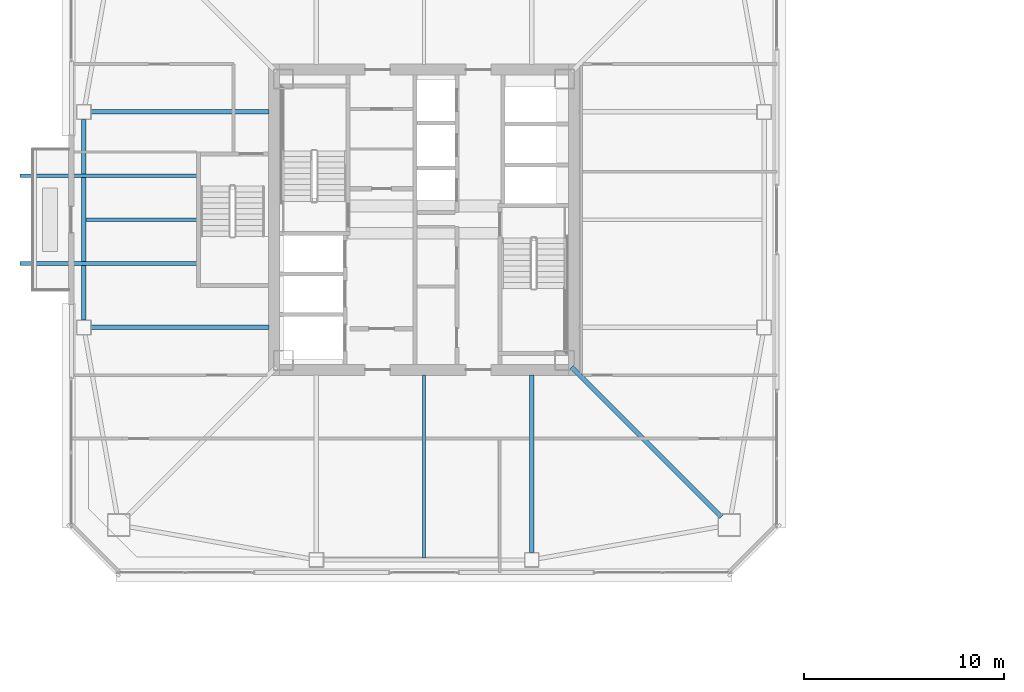
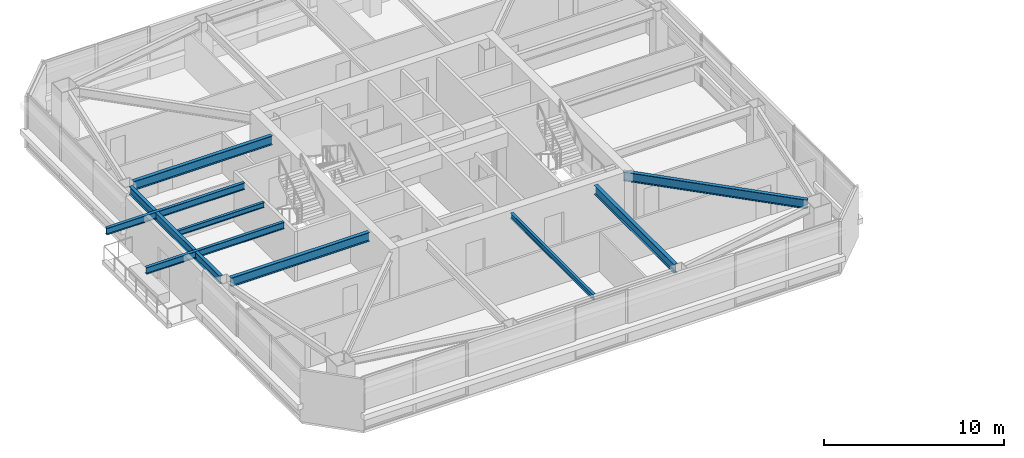
# One storey, part 7 of 43: 9 beams.
"""IFC4 building model written with IfcOpenShell, lengths in metres."""

from ifc_helpers import new_model, si_unit, direction, frame, origin, origin_2d, place, context, subcontext, project, spatial, i_section, extrude, material, material_profile, profile_set, type_object, element, save


model = new_model("IFC4")

# Units and contexts
model_context = context("Model", 3, precision=1e-05, world=origin(), true_north=direction((0.0, 1.0)))
body_context = subcontext(model_context, "Body", "Model", "MODEL_VIEW")
ifc_project = project(units=[si_unit("LENGTHUNIT", "METRE"), si_unit("AREAUNIT", "SQUARE_METRE"), si_unit("VOLUMEUNIT", "CUBIC_METRE"), si_unit("PLANEANGLEUNIT", "RADIAN"), si_unit("MASSUNIT", "GRAM", prefix="KILO")], contexts=[model_context])

# Site, building, storey
site_placement = place(None, origin())
site = spatial("IfcSite", under=ifc_project, at=site_placement, CompositionType="ELEMENT")
building_placement = place(site_placement, origin())
building = spatial("IfcBuilding", under=site, at=building_placement, Name="Tashvorn Skyway Center", CompositionType="ELEMENT")
storey_placement = place(building_placement, frame((0.0, 0.0, 185.39990234375)))
storey = spatial("IfcBuildingStorey", under=building, at=storey_placement, Name="L50", CompositionType="ELEMENT", Elevation=185.39990234375)

# Beams
ifc_material = material(Name="Steel ASTM A992 Grade 50", Category="steel")
ifc_material_profile_1 = material_profile(ifc_material, i_section(OverallWidth=0.22998046875, OverallDepth=0.616943359375, WebThickness=0.01318359375, FlangeThickness=0.022216796875, at=origin_2d()), Name="W24X94")
ifc_profile_set_1 = profile_set([ifc_material_profile_1], Name="Steel ASTM A992 Grade 50")
beam_type_1 = type_object("IfcBeamType", Name="BM-BEAM-W24X94", PredefinedType="BEAM", material=ifc_profile_set_1)
beam_1_placement = place(storey_placement, frame((56.89697265625, 17.10302734375, 3.0615234375), z_axis=(-0.707106781187, 0.707106781187, 0.0), x_axis=(-0.707106781187, -0.707106781187, 0.0)))
element("IfcBeam", 1, at=beam_1_placement, inside=storey, type_object=beam_type_1, Name="Tower 1 L50 Primary Floor Girder MC-SE", PredefinedType="BEAM", context=body_context, shape_type="SweptSolid", body=[
    extrude(i_section(OverallWidth=0.22998046875, OverallDepth=0.616943359375, WebThickness=0.01318359375, FlangeThickness=0.022216796875, at=origin_2d()), origin(), (0.0, 0.0, 1.0), 10.6025390625),
])
for number, where, z_axis, x_axis, name in (
    (2, (47.39990234375, 15.320068359375, 3.0615234375), (0.0, 1.0, 0.0), (-1.0, 0.0, 0.0), "Tower 1 L50 Primary Floor Girder FC-S2"),
    (3, (25.320068359375, 37.39990234375, 3.0615234375), (1.0, 0.0, 0.0), (0.0, 1.0, 0.0), "Tower 1 L50 Primary Floor Girder FC-W1"),
    (4, (25.320068359375, 26.60009765625, 3.0615234375), (1.0, 0.0, 0.0), (0.0, 1.0, 0.0), "Tower 1 L50 Primary Floor Girder FC-W2"),
):
    element("IfcBeam", number, at=place(storey_placement, frame(where, z_axis=z_axis, x_axis=x_axis)), inside=storey, type_object=beam_type_1, Name=name, PredefinedType="BEAM", context=body_context, shape_type="SweptSolid", body=[
        extrude(i_section(OverallWidth=0.22998046875, OverallDepth=0.616943359375, WebThickness=0.01318359375, FlangeThickness=0.022216796875, at=origin_2d()), origin(), (0.0, 0.0, 1.0), 8.89990234375),
    ])
ifc_material_profile_2 = material_profile(ifc_material, i_section(OverallWidth=0.1708984375, OverallDepth=0.35498046875, WebThickness=0.007080078125, FlangeThickness=0.01171875, at=origin_2d()), Name="W14X34")
ifc_profile_set_2 = profile_set([ifc_material_profile_2], Name="Steel ASTM A992 Grade 50")
beam_type_2 = type_object("IfcBeamType", Name="BM-JOIST-W14X34", PredefinedType="JOIST", material=ifc_profile_set_2)
beam_2_placement = place(storey_placement, frame((42.0, 24.2099609375, 3.192626953125), z_axis=(0.0, -1.0, 0.0), x_axis=(1.0, 0.0, 0.0)))
element("IfcBeam", 5, at=beam_2_placement, inside=storey, type_object=beam_type_2, Name="Tower 1 L50 Secondary Composite Joist JS", PredefinedType="JOIST", context=body_context, shape_type="SweptSolid", body=[
    extrude(i_section(OverallWidth=0.1708984375, OverallDepth=0.35498046875, WebThickness=0.007080078125, FlangeThickness=0.01171875, at=origin_2d()), origin(), (0.0, 0.0, 1.0), 9.162353515625),
])
beam_3_placement = place(storey_placement, frame((30.610107421875, 32.0, 3.192626953125), z_axis=(-1.0, 0.0, 0.0), x_axis=(0.0, -1.0, 0.0)))
element("IfcBeam", 6, at=beam_3_placement, inside=storey, type_object=beam_type_2, Name="Tower 1 L50 Secondary Composite Joist JW", PredefinedType="JOIST", context=body_context, shape_type="SweptSolid", body=[
    extrude(i_section(OverallWidth=0.1708984375, OverallDepth=0.35498046875, WebThickness=0.007080078125, FlangeThickness=0.01171875, at=origin_2d()), origin(), (0.0, 0.0, 1.0), 5.5625),
])
ifc_material_profile_3 = material_profile(ifc_material, i_section(OverallWidth=0.19091796875, OverallDepth=0.4599609375, WebThickness=0.010009765625, FlangeThickness=0.01611328125, at=origin_2d()), Name="W18X55")
ifc_profile_set_3 = profile_set([ifc_material_profile_3], Name="Steel ASTM A992 Grade 50")
beam_type_3 = type_object("IfcBeamType", Name="BM-JOIST-W18X55", PredefinedType="JOIST", material=ifc_profile_set_3)
for number, where, z_axis, x_axis, name in (
    (7, (30.610107421875, 29.800048828125, 3.14013671875), (-1.0, 0.0, 0.0), (0.0, -1.0, 0.0), "Tower 1 L51 Terrace Cantilever Outlooker 1"),
    (8, (30.610107421875, 34.199951171875, 3.14013671875), (-1.0, 0.0, 0.0), (0.0, -1.0, 0.0), "Tower 1 L51 Terrace Cantilever Outlooker 2"),
):
    element("IfcBeam", number, at=place(storey_placement, frame(where, z_axis=z_axis, x_axis=x_axis)), inside=storey, type_object=beam_type_3, Name=name, PredefinedType="JOIST", context=body_context, shape_type="SweptSolid", body=[
        extrude(i_section(OverallWidth=0.19091796875, OverallDepth=0.4599609375, WebThickness=0.010009765625, FlangeThickness=0.01611328125, at=origin_2d()), origin(), (0.0, 0.0, 1.0), 8.860107421875),
    ])
ifc_material_profile_4 = material_profile(ifc_material, i_section(OverallWidth=0.2109375, OverallDepth=0.5390625, WebThickness=0.01171875, FlangeThickness=0.018798828125, at=origin_2d()), Name="W21X73")
ifc_profile_set_4 = profile_set([ifc_material_profile_4], Name="Steel ASTM A992 Grade 50")
beam_type_4 = type_object("IfcBeamType", Name="BM-SPANDREL-W21X73", PredefinedType="SPANDREL", material=ifc_profile_set_4)
beam_4_placement = place(storey_placement, frame((24.949951171875, 37.030029296875, 3.1005859375), z_axis=(0.0, -1.0, 0.0), x_axis=(1.0, 0.0, 0.0)))
element("IfcBeam", 9, at=beam_4_placement, inside=storey, type_object=beam_type_4, Name="Tower 1 L50 Spandrel Beam 11", PredefinedType="SPANDREL", context=body_context, shape_type="SweptSolid", body=[
    extrude(i_section(OverallWidth=0.2109375, OverallDepth=0.5390625, WebThickness=0.01171875, FlangeThickness=0.018798828125, at=origin_2d()), origin(), (0.0, 0.0, 1.0), 10.06005859375),
])

save(model, "model.ifc")
